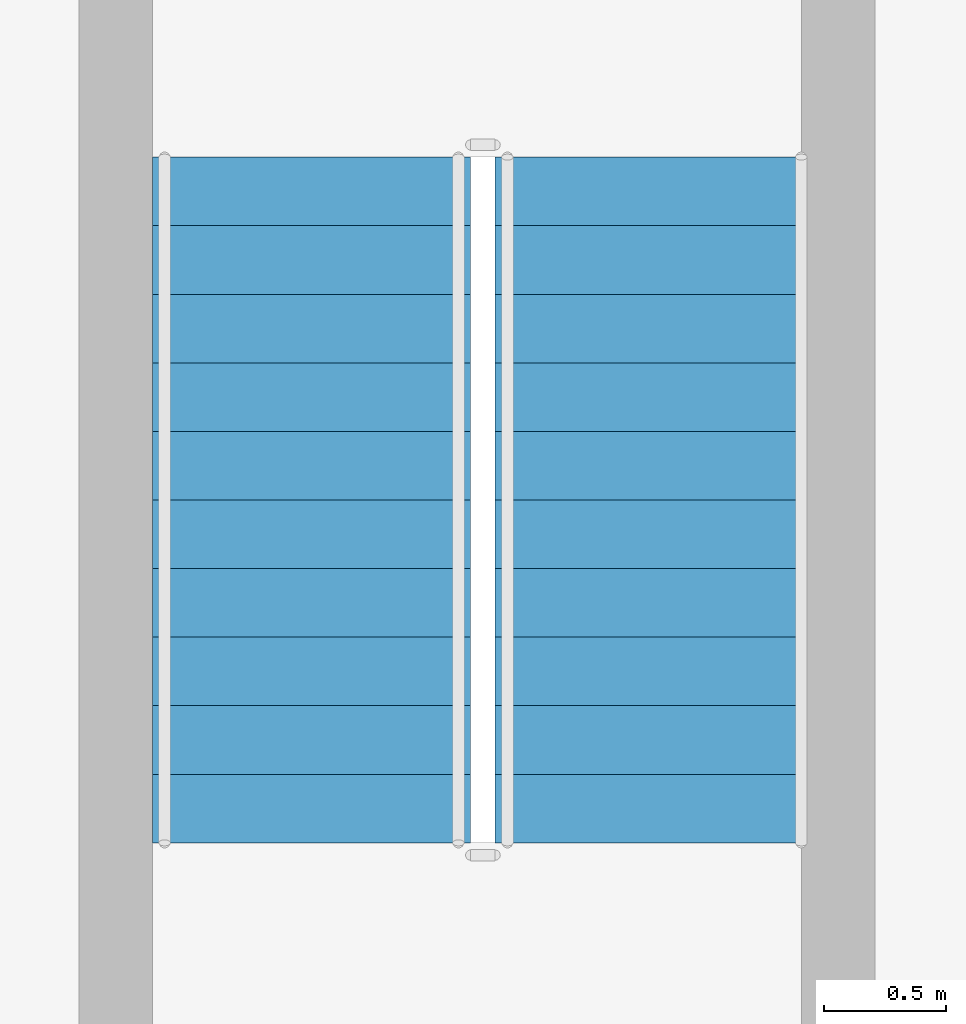
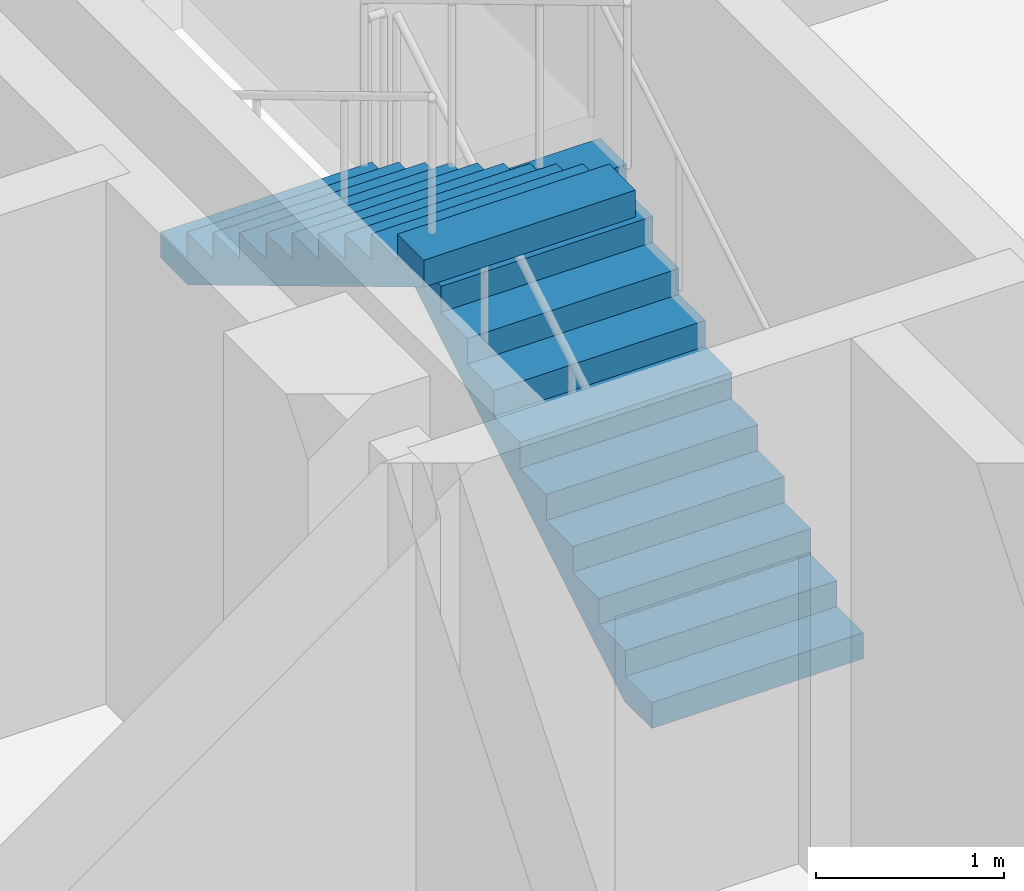
# One storey, part 14 of 22: 2 stair flights, 1 element without a shape of its own.
"""IFC4 building model written with IfcOpenShell, lengths in metres."""

from ifc_helpers import new_model, si_unit, direction, frame, origin, place, context, subcontext, project, spatial, triangles, source, transform, mapped, material, type_object, element, aggregate, save


model = new_model("IFC4")

# Units and contexts
model_context = context("Model", 3, precision=1e-05, world=origin(), true_north=direction((0.0, 1.0)))
body_context = subcontext(model_context, "Body", "Model", "MODEL_VIEW")
ifc_project = project(units=[si_unit("LENGTHUNIT", "METRE"), si_unit("AREAUNIT", "SQUARE_METRE"), si_unit("VOLUMEUNIT", "CUBIC_METRE"), si_unit("PLANEANGLEUNIT", "RADIAN"), si_unit("MASSUNIT", "GRAM", prefix="KILO")], contexts=[model_context])

# Site, building, storey
site_placement = place(None, origin())
site = spatial("IfcSite", under=ifc_project, at=site_placement, CompositionType="ELEMENT")
building_placement = place(site_placement, origin())
building = spatial("IfcBuilding", under=site, at=building_placement, Name="Ogive Portal Towers", CompositionType="ELEMENT")
storey_placement = place(building_placement, frame((0.0, 0.0, 145.89990234375)))
storey = spatial("IfcBuildingStorey", under=building, at=storey_placement, Name="L35", CompositionType="ELEMENT", Elevation=145.89990234375)

# Stair, stair flights
ifc_material = material(Name="Concrete C40/50", Category="concrete")
stair_type = type_object("IfcStairType", Name="INT-STAIR", PredefinedType="HALF_TURN_STAIR", material=ifc_material)
stair_placement = place(storey_placement, origin())
stair = element("IfcStair", 1, at=stair_placement, inside=storey, type_object=stair_type, Name="L35 Exit Stair ST-A3", PredefinedType="HALF_TURN_STAIR")
stair_flight_type = type_object("IfcStairFlightType", Name="INT-FLIGHT", PredefinedType="STRAIGHT", material=ifc_material)
shared_shape = source(origin(), body_context, "Body", "Tessellation", [
    triangles([(0.0, -0.650146484375, 0.0), (0.0, -0.376220703125, 0.0), (0.0, -0.192626953125, 0.0), (0.0, -0.081298828125, 0.0), (0.0, -0.024169921875, 0.0), (0.0, -0.003173828125, 0.0), (0.0, 0.0, 0.0), (0.0, 0.0029296875, 0.0), (0.0, 0.02392578125, 0.0), (0.0, 0.0810546875, 0.0), (0.0, 0.1923828125, 0.0), (0.0, 0.3759765625, 0.0), (0.0, 0.64990234375, 0.0), (0.0, -0.650146484375, 0.168212890625), (0.0, -0.376220703125, 0.168212890625), (0.0, -0.192626953125, 0.168212890625), (0.0, -0.081298828125, 0.168212890625), (0.0, -0.024169921875, 0.168212890625), (0.0, -0.003173828125, 0.168212890625), (0.0, 0.0, 0.168212890625), (0.0, 0.0029296875, 0.168212890625), (0.0, 0.02392578125, 0.168212890625), (0.0, 0.0810546875, 0.168212890625), (0.0, 0.1923828125, 0.168212890625), (0.0, 0.3759765625, 0.168212890625), (0.0, 0.64990234375, 0.168212890625), (0.280029296875, -0.650146484375, 0.168212890625), (0.280029296875, -0.376220703125, 0.168212890625), (0.280029296875, -0.192626953125, 0.168212890625), (0.280029296875, -0.081298828125, 0.168212890625), (0.280029296875, -0.024169921875, 0.168212890625), (0.280029296875, -0.003173828125, 0.168212890625), (0.280029296875, 0.0, 0.168212890625), (0.280029296875, 0.0029296875, 0.168212890625), (0.280029296875, 0.02392578125, 0.168212890625), (0.280029296875, 0.0810546875, 0.168212890625), (0.280029296875, 0.1923828125, 0.168212890625), (0.280029296875, 0.3759765625, 0.168212890625), (0.280029296875, 0.64990234375, 0.168212890625), (0.280029296875, -0.650146484375, 0.33642578125), (0.280029296875, -0.376220703125, 0.33642578125), (0.280029296875, -0.192626953125, 0.33642578125), (0.280029296875, -0.081298828125, 0.33642578125), (0.280029296875, -0.024169921875, 0.33642578125), (0.280029296875, -0.003173828125, 0.33642578125), (0.280029296875, 0.0, 0.33642578125), (0.280029296875, 0.0029296875, 0.33642578125), (0.280029296875, 0.02392578125, 0.33642578125), (0.280029296875, 0.0810546875, 0.33642578125), (0.280029296875, 0.1923828125, 0.33642578125), (0.280029296875, 0.3759765625, 0.33642578125), (0.280029296875, 0.64990234375, 0.33642578125), (0.56005859375, -0.650146484375, 0.33642578125), (0.56005859375, -0.376220703125, 0.33642578125), (0.56005859375, -0.192626953125, 0.33642578125), (0.56005859375, -0.081298828125, 0.33642578125), (0.56005859375, -0.024169921875, 0.33642578125), (0.56005859375, -0.003173828125, 0.33642578125), (0.56005859375, 0.0, 0.33642578125), (0.56005859375, 0.0029296875, 0.33642578125), (0.56005859375, 0.02392578125, 0.33642578125), (0.56005859375, 0.0810546875, 0.33642578125), (0.56005859375, 0.1923828125, 0.33642578125), (0.56005859375, 0.3759765625, 0.33642578125), (0.56005859375, 0.64990234375, 0.33642578125), (0.56005859375, -0.650146484375, 0.504638671875), (0.56005859375, -0.376220703125, 0.504638671875), (0.56005859375, -0.192626953125, 0.504638671875), (0.56005859375, -0.081298828125, 0.504638671875), (0.56005859375, -0.024169921875, 0.504638671875), (0.56005859375, -0.003173828125, 0.504638671875), (0.56005859375, 0.0, 0.504638671875), (0.56005859375, 0.0029296875, 0.504638671875), (0.56005859375, 0.02392578125, 0.504638671875), (0.56005859375, 0.0810546875, 0.504638671875), (0.56005859375, 0.1923828125, 0.504638671875), (0.56005859375, 0.3759765625, 0.504638671875), (0.56005859375, 0.64990234375, 0.504638671875), (0.840087890625, -0.650146484375, 0.504638671875), (0.840087890625, -0.376220703125, 0.504638671875), (0.840087890625, -0.192626953125, 0.504638671875), (0.840087890625, -0.081298828125, 0.504638671875), (0.840087890625, -0.024169921875, 0.504638671875), (0.840087890625, -0.003173828125, 0.504638671875), (0.840087890625, 0.0, 0.504638671875), (0.840087890625, 0.0029296875, 0.504638671875), (0.840087890625, 0.02392578125, 0.504638671875), (0.840087890625, 0.0810546875, 0.504638671875), (0.840087890625, 0.1923828125, 0.504638671875), (0.840087890625, 0.3759765625, 0.504638671875), (0.840087890625, 0.64990234375, 0.504638671875), (0.840087890625, -0.650146484375, 0.672607421875), (0.840087890625, -0.376220703125, 0.672607421875), (0.840087890625, -0.192626953125, 0.672607421875), (0.840087890625, -0.081298828125, 0.672607421875), (0.840087890625, -0.024169921875, 0.672607421875), (0.840087890625, -0.003173828125, 0.672607421875), (0.840087890625, 0.0, 0.672607421875), (0.840087890625, 0.0029296875, 0.672607421875), (0.840087890625, 0.02392578125, 0.672607421875), (0.840087890625, 0.0810546875, 0.672607421875), (0.840087890625, 0.1923828125, 0.672607421875), (0.840087890625, 0.3759765625, 0.672607421875), (0.840087890625, 0.64990234375, 0.672607421875), (1.1201171875, -0.650146484375, 0.672607421875), (1.1201171875, -0.376220703125, 0.672607421875), (1.1201171875, -0.192626953125, 0.672607421875), (1.1201171875, -0.081298828125, 0.672607421875), (1.1201171875, -0.024169921875, 0.672607421875), (1.1201171875, -0.003173828125, 0.672607421875), (1.1201171875, 0.0, 0.672607421875), (1.1201171875, 0.0029296875, 0.672607421875), (1.1201171875, 0.02392578125, 0.672607421875), (1.1201171875, 0.0810546875, 0.672607421875), (1.1201171875, 0.1923828125, 0.672607421875), (1.1201171875, 0.3759765625, 0.672607421875), (1.1201171875, 0.64990234375, 0.672607421875), (1.1201171875, -0.650146484375, 0.8408203125), (1.1201171875, -0.376220703125, 0.8408203125), (1.1201171875, -0.192626953125, 0.8408203125), (1.1201171875, -0.081298828125, 0.8408203125), (1.1201171875, -0.024169921875, 0.8408203125), (1.1201171875, -0.003173828125, 0.8408203125), (1.1201171875, 0.0, 0.8408203125), (1.1201171875, 0.0029296875, 0.8408203125), (1.1201171875, 0.02392578125, 0.8408203125), (1.1201171875, 0.0810546875, 0.8408203125), (1.1201171875, 0.1923828125, 0.8408203125), (1.1201171875, 0.3759765625, 0.8408203125), (1.1201171875, 0.64990234375, 0.8408203125), (1.39990234375, -0.650146484375, 0.8408203125), (1.39990234375, -0.376220703125, 0.8408203125), (1.39990234375, -0.192626953125, 0.8408203125), (1.39990234375, -0.081298828125, 0.8408203125), (1.39990234375, -0.024169921875, 0.8408203125), (1.39990234375, -0.003173828125, 0.8408203125), (1.39990234375, 0.0, 0.8408203125), (1.39990234375, 0.0029296875, 0.8408203125), (1.39990234375, 0.02392578125, 0.8408203125), (1.39990234375, 0.0810546875, 0.8408203125), (1.39990234375, 0.1923828125, 0.8408203125), (1.39990234375, 0.3759765625, 0.8408203125), (1.39990234375, 0.64990234375, 0.8408203125), (1.39990234375, -0.650146484375, 1.009033203125), (1.39990234375, -0.376220703125, 1.009033203125), (1.39990234375, -0.192626953125, 1.009033203125), (1.39990234375, -0.081298828125, 1.009033203125), (1.39990234375, -0.024169921875, 1.009033203125), (1.39990234375, -0.003173828125, 1.009033203125), (1.39990234375, 0.0, 1.009033203125), (1.39990234375, 0.0029296875, 1.009033203125), (1.39990234375, 0.02392578125, 1.009033203125), (1.39990234375, 0.0810546875, 1.009033203125), (1.39990234375, 0.1923828125, 1.009033203125), (1.39990234375, 0.3759765625, 1.009033203125), (1.39990234375, 0.64990234375, 1.009033203125), (1.679931640625, -0.650146484375, 1.009033203125), (1.679931640625, -0.376220703125, 1.009033203125), (1.679931640625, -0.192626953125, 1.009033203125), (1.679931640625, -0.081298828125, 1.009033203125), (1.679931640625, -0.024169921875, 1.009033203125), (1.679931640625, -0.003173828125, 1.009033203125), (1.679931640625, 0.0, 1.009033203125), (1.679931640625, 0.0029296875, 1.009033203125), (1.679931640625, 0.02392578125, 1.009033203125), (1.679931640625, 0.0810546875, 1.009033203125), (1.679931640625, 0.1923828125, 1.009033203125), (1.679931640625, 0.3759765625, 1.009033203125), (1.679931640625, 0.64990234375, 1.009033203125), (1.679931640625, -0.650146484375, 1.17724609375), (1.679931640625, -0.376220703125, 1.17724609375), (1.679931640625, -0.192626953125, 1.17724609375), (1.679931640625, -0.081298828125, 1.17724609375), (1.679931640625, -0.024169921875, 1.17724609375), (1.679931640625, -0.003173828125, 1.17724609375), (1.679931640625, 0.0, 1.17724609375), (1.679931640625, 0.0029296875, 1.17724609375), (1.679931640625, 0.02392578125, 1.17724609375), (1.679931640625, 0.0810546875, 1.17724609375), (1.679931640625, 0.1923828125, 1.17724609375), (1.679931640625, 0.3759765625, 1.17724609375), (1.679931640625, 0.64990234375, 1.17724609375), (1.9599609375, -0.650146484375, 1.17724609375), (1.9599609375, -0.376220703125, 1.17724609375), (1.9599609375, -0.192626953125, 1.17724609375), (1.9599609375, -0.081298828125, 1.17724609375), (1.9599609375, -0.024169921875, 1.17724609375), (1.9599609375, -0.003173828125, 1.17724609375), (1.9599609375, 0.0, 1.17724609375), (1.9599609375, 0.0029296875, 1.17724609375), (1.9599609375, 0.02392578125, 1.17724609375), (1.9599609375, 0.0810546875, 1.17724609375), (1.9599609375, 0.1923828125, 1.17724609375), (1.9599609375, 0.3759765625, 1.17724609375), (1.9599609375, 0.64990234375, 1.17724609375), (1.9599609375, -0.650146484375, 1.345458984375), (1.9599609375, -0.376220703125, 1.345458984375), (1.9599609375, -0.192626953125, 1.345458984375), (1.9599609375, -0.081298828125, 1.345458984375), (1.9599609375, -0.024169921875, 1.345458984375), (1.9599609375, -0.003173828125, 1.345458984375), (1.9599609375, 0.0, 1.345458984375), (1.9599609375, 0.0029296875, 1.345458984375), (1.9599609375, 0.02392578125, 1.345458984375), (1.9599609375, 0.0810546875, 1.345458984375), (1.9599609375, 0.1923828125, 1.345458984375), (1.9599609375, 0.3759765625, 1.345458984375), (1.9599609375, 0.64990234375, 1.345458984375), (2.239990234375, -0.650146484375, 1.345458984375), (2.239990234375, -0.376220703125, 1.345458984375), (2.239990234375, -0.192626953125, 1.345458984375), (2.239990234375, -0.081298828125, 1.345458984375), (2.239990234375, -0.024169921875, 1.345458984375), (2.239990234375, -0.003173828125, 1.345458984375), (2.239990234375, 0.0, 1.345458984375), (2.239990234375, 0.0029296875, 1.345458984375), (2.239990234375, 0.02392578125, 1.345458984375), (2.239990234375, 0.0810546875, 1.345458984375), (2.239990234375, 0.1923828125, 1.345458984375), (2.239990234375, 0.3759765625, 1.345458984375), (2.239990234375, 0.64990234375, 1.345458984375), (2.239990234375, -0.650146484375, 1.513671875), (2.239990234375, -0.376220703125, 1.513671875), (2.239990234375, -0.192626953125, 1.513671875), (2.239990234375, -0.081298828125, 1.513671875), (2.239990234375, -0.024169921875, 1.513671875), (2.239990234375, -0.003173828125, 1.513671875), (2.239990234375, 0.0, 1.513671875), (2.239990234375, 0.0029296875, 1.513671875), (2.239990234375, 0.02392578125, 1.513671875), (2.239990234375, 0.0810546875, 1.513671875), (2.239990234375, 0.1923828125, 1.513671875), (2.239990234375, 0.3759765625, 1.513671875), (2.239990234375, 0.64990234375, 1.513671875), (2.52001953125, -0.650146484375, 1.513671875), (2.52001953125, -0.376220703125, 1.513671875), (2.52001953125, -0.192626953125, 1.513671875), (2.52001953125, -0.081298828125, 1.513671875), (2.52001953125, -0.024169921875, 1.513671875), (2.52001953125, -0.003173828125, 1.513671875), (2.52001953125, 0.0, 1.513671875), (2.52001953125, 0.0029296875, 1.513671875), (2.52001953125, 0.02392578125, 1.513671875), (2.52001953125, 0.0810546875, 1.513671875), (2.52001953125, 0.1923828125, 1.513671875), (2.52001953125, 0.3759765625, 1.513671875), (2.52001953125, 0.64990234375, 1.513671875), (2.52001953125, -0.650146484375, 1.681884765625), (2.52001953125, -0.376220703125, 1.681884765625), (2.52001953125, -0.192626953125, 1.681884765625), (2.52001953125, -0.081298828125, 1.681884765625), (2.52001953125, -0.024169921875, 1.681884765625), (2.52001953125, -0.003173828125, 1.681884765625), (2.52001953125, 0.0, 1.681884765625), (2.52001953125, 0.0029296875, 1.681884765625), (2.52001953125, 0.02392578125, 1.681884765625), (2.52001953125, 0.0810546875, 1.681884765625), (2.52001953125, 0.1923828125, 1.681884765625), (2.52001953125, 0.3759765625, 1.681884765625), (2.52001953125, 0.64990234375, 1.681884765625), (2.800048828125, -0.650146484375, 1.681884765625), (2.800048828125, -0.376220703125, 1.681884765625), (2.800048828125, -0.192626953125, 1.681884765625), (2.800048828125, -0.081298828125, 1.681884765625), (2.800048828125, -0.024169921875, 1.681884765625), (2.800048828125, -0.003173828125, 1.681884765625), (2.800048828125, 0.0, 1.681884765625), (2.800048828125, 0.0029296875, 1.681884765625), (2.800048828125, 0.02392578125, 1.681884765625), (2.800048828125, 0.0810546875, 1.681884765625), (2.800048828125, 0.1923828125, 1.681884765625), (2.800048828125, 0.3759765625, 1.681884765625), (2.800048828125, 0.64990234375, 1.681884765625), (2.800048828125, -0.650146484375, 1.5068359375), (2.800048828125, -0.376220703125, 1.5068359375), (2.800048828125, -0.192626953125, 1.5068359375), (2.800048828125, -0.081298828125, 1.5068359375), (2.800048828125, -0.024169921875, 1.5068359375), (2.800048828125, -0.003173828125, 1.5068359375), (2.800048828125, 0.0, 1.5068359375), (2.800048828125, 0.0029296875, 1.5068359375), (2.800048828125, 0.02392578125, 1.5068359375), (2.800048828125, 0.0810546875, 1.5068359375), (2.800048828125, 0.1923828125, 1.5068359375), (2.800048828125, 0.3759765625, 1.5068359375), (2.800048828125, 0.64990234375, 1.5068359375), (0.291015625, -0.650146484375, 0.0), (0.291015625, -0.376220703125, 0.0), (0.291015625, -0.192626953125, 0.0), (0.291015625, -0.081298828125, 0.0), (0.291015625, -0.024169921875, 0.0), (0.291015625, -0.003173828125, 0.0), (0.291015625, 0.0, 0.0), (0.291015625, 0.0029296875, 0.0), (0.291015625, 0.02392578125, 0.0), (0.291015625, 0.0810546875, 0.0), (0.291015625, 0.1923828125, 0.0), (0.291015625, 0.3759765625, 0.0), (0.291015625, 0.64990234375, 0.0)], [[1, 14, 15], [1, 15, 2], [2, 15, 16], [2, 16, 3], [3, 16, 17], [3, 17, 4], [4, 17, 18], [4, 18, 5], [5, 18, 19], [5, 19, 6], [6, 19, 20], [6, 20, 7], [7, 20, 21], [7, 21, 8], [8, 21, 22], [8, 22, 9], [9, 22, 23], [9, 23, 10], [10, 23, 24], [10, 24, 11], [11, 24, 25], [11, 25, 12], [12, 25, 26], [12, 26, 13], [14, 27, 28], [14, 28, 15], [15, 28, 29], [15, 29, 16], [16, 29, 30], [16, 30, 17], [17, 30, 31], [17, 31, 18], [18, 31, 32], [18, 32, 19], [19, 32, 33], [19, 33, 20], [20, 33, 34], [20, 34, 21], [21, 34, 35], [21, 35, 22], [22, 35, 36], [22, 36, 23], [23, 36, 37], [23, 37, 24], [24, 37, 38], [24, 38, 25], [25, 38, 39], [25, 39, 26], [27, 40, 41], [27, 41, 28], [28, 41, 42], [28, 42, 29], [29, 42, 43], [29, 43, 30], [30, 43, 44], [30, 44, 31], [31, 44, 45], [31, 45, 32], [32, 45, 46], [32, 46, 33], [33, 46, 47], [33, 47, 34], [34, 47, 48], [34, 48, 35], [35, 48, 49], [35, 49, 36], [36, 49, 50], [36, 50, 37], [37, 50, 51], [37, 51, 38], [38, 51, 52], [38, 52, 39], [40, 53, 54], [40, 54, 41], [41, 54, 55], [41, 55, 42], [42, 55, 56], [42, 56, 43], [43, 56, 57], [43, 57, 44], [44, 57, 58], [44, 58, 45], [45, 58, 59], [45, 59, 46], [46, 59, 60], [46, 60, 47], [47, 60, 61], [47, 61, 48], [48, 61, 62], [48, 62, 49], [49, 62, 63], [49, 63, 50], [50, 63, 64], [50, 64, 51], [51, 64, 65], [51, 65, 52], [53, 66, 67], [53, 67, 54], [54, 67, 68], [54, 68, 55], [55, 68, 69], [55, 69, 56], [56, 69, 70], [56, 70, 57], [57, 70, 71], [57, 71, 58], [58, 71, 72], [58, 72, 59], [59, 72, 73], [59, 73, 60], [60, 73, 74], [60, 74, 61], [61, 74, 75], [61, 75, 62], [62, 75, 76], [62, 76, 63], [63, 76, 77], [63, 77, 64], [64, 77, 78], [64, 78, 65], [66, 79, 80], [66, 80, 67], [67, 80, 81], [67, 81, 68], [68, 81, 82], [68, 82, 69], [69, 82, 83], [69, 83, 70], [70, 83, 84], [70, 84, 71], [71, 84, 85], [71, 85, 72], [72, 85, 86], [72, 86, 73], [73, 86, 87], [73, 87, 74], [74, 87, 88], [74, 88, 75], [75, 88, 89], [75, 89, 76], [76, 89, 90], [76, 90, 77], [77, 90, 91], [77, 91, 78], [79, 92, 93], [79, 93, 80], [80, 93, 94], [80, 94, 81], [81, 94, 95], [81, 95, 82], [82, 95, 96], [82, 96, 83], [83, 96, 97], [83, 97, 84], [84, 97, 98], [84, 98, 85], [85, 98, 99], [85, 99, 86], [86, 99, 100], [86, 100, 87], [87, 100, 101], [87, 101, 88], [88, 101, 102], [88, 102, 89], [89, 102, 103], [89, 103, 90], [90, 103, 104], [90, 104, 91], [92, 105, 106], [92, 106, 93], [93, 106, 107], [93, 107, 94], [94, 107, 108], [94, 108, 95], [95, 108, 109], [95, 109, 96], [96, 109, 110], [96, 110, 97], [97, 110, 111], [97, 111, 98], [98, 111, 112], [98, 112, 99], [99, 112, 113], [99, 113, 100], [100, 113, 114], [100, 114, 101], [101, 114, 115], [101, 115, 102], [102, 115, 116], [102, 116, 103], [103, 116, 117], [103, 117, 104], [105, 118, 119], [105, 119, 106], [106, 119, 120], [106, 120, 107], [107, 120, 121], [107, 121, 108], [108, 121, 122], [108, 122, 109], [109, 122, 123], [109, 123, 110], [110, 123, 124], [110, 124, 111], [111, 124, 125], [111, 125, 112], [112, 125, 126], [112, 126, 113], [113, 126, 127], [113, 127, 114], [114, 127, 128], [114, 128, 115], [115, 128, 129], [115, 129, 116], [116, 129, 130], [116, 130, 117], [118, 131, 132], [118, 132, 119], [119, 132, 133], [119, 133, 120], [120, 133, 134], [120, 134, 121], [121, 134, 135], [121, 135, 122], [122, 135, 136], [122, 136, 123], [123, 136, 137], [123, 137, 124], [124, 137, 138], [124, 138, 125], [125, 138, 139], [125, 139, 126], [126, 139, 140], [126, 140, 127], [127, 140, 141], [127, 141, 128], [128, 141, 142], [128, 142, 129], [129, 142, 143], [129, 143, 130], [131, 144, 145], [131, 145, 132], [132, 145, 146], [132, 146, 133], [133, 146, 147], [133, 147, 134], [134, 147, 148], [134, 148, 135], [135, 148, 149], [135, 149, 136], [136, 149, 150], [136, 150, 137], [137, 150, 151], [137, 151, 138], [138, 151, 152], [138, 152, 139], [139, 152, 153], [139, 153, 140], [140, 153, 154], [140, 154, 141], [141, 154, 155], [141, 155, 142], [142, 155, 156], [142, 156, 143], [144, 157, 158], [144, 158, 145], [145, 158, 159], [145, 159, 146], [146, 159, 160], [146, 160, 147], [147, 160, 161], [147, 161, 148], [148, 161, 162], [148, 162, 149], [149, 162, 163], [149, 163, 150], [150, 163, 164], [150, 164, 151], [151, 164, 165], [151, 165, 152], [152, 165, 166], [152, 166, 153], [153, 166, 167], [153, 167, 154], [154, 167, 168], [154, 168, 155], [155, 168, 169], [155, 169, 156], [157, 170, 171], [157, 171, 158], [158, 171, 172], [158, 172, 159], [159, 172, 173], [159, 173, 160], [160, 173, 174], [160, 174, 161], [161, 174, 175], [161, 175, 162], [162, 175, 176], [162, 176, 163], [163, 176, 177], [163, 177, 164], [164, 177, 178], [164, 178, 165], [165, 178, 179], [165, 179, 166], [166, 179, 180], [166, 180, 167], [167, 180, 181], [167, 181, 168], [168, 181, 182], [168, 182, 169], [170, 183, 184], [170, 184, 171], [171, 184, 185], [171, 185, 172], [172, 185, 186], [172, 186, 173], [173, 186, 187], [173, 187, 174], [174, 187, 188], [174, 188, 175], [175, 188, 189], [175, 189, 176], [176, 189, 190], [176, 190, 177], [177, 190, 191], [177, 191, 178], [178, 191, 192], [178, 192, 179], [179, 192, 193], [179, 193, 180], [180, 193, 194], [180, 194, 181], [181, 194, 195], [181, 195, 182], [183, 196, 197], [183, 197, 184], [184, 197, 198], [184, 198, 185], [185, 198, 199], [185, 199, 186], [186, 199, 200], [186, 200, 187], [187, 200, 201], [187, 201, 188], [188, 201, 202], [188, 202, 189], [189, 202, 203], [189, 203, 190], [190, 203, 204], [190, 204, 191], [191, 204, 205], [191, 205, 192], [192, 205, 206], [192, 206, 193], [193, 206, 207], [193, 207, 194], [194, 207, 208], [194, 208, 195], [196, 209, 210], [196, 210, 197], [197, 210, 211], [197, 211, 198], [198, 211, 212], [198, 212, 199], [199, 212, 213], [199, 213, 200], [200, 213, 214], [200, 214, 201], [201, 214, 215], [201, 215, 202], [202, 215, 216], [202, 216, 203], [203, 216, 217], [203, 217, 204], [204, 217, 218], [204, 218, 205], [205, 218, 219], [205, 219, 206], [206, 219, 220], [206, 220, 207], [207, 220, 221], [207, 221, 208], [209, 222, 223], [209, 223, 210], [210, 223, 224], [210, 224, 211], [211, 224, 225], [211, 225, 212], [212, 225, 226], [212, 226, 213], [213, 226, 227], [213, 227, 214], [214, 227, 228], [214, 228, 215], [215, 228, 229], [215, 229, 216], [216, 229, 230], [216, 230, 217], [217, 230, 231], [217, 231, 218], [218, 231, 232], [218, 232, 219], [219, 232, 233], [219, 233, 220], [220, 233, 234], [220, 234, 221], [222, 235, 236], [222, 236, 223], [223, 236, 237], [223, 237, 224], [224, 237, 238], [224, 238, 225], [225, 238, 239], [225, 239, 226], [226, 239, 240], [226, 240, 227], [227, 240, 241], [227, 241, 228], [228, 241, 242], [228, 242, 229], [229, 242, 243], [229, 243, 230], [230, 243, 244], [230, 244, 231], [231, 244, 245], [231, 245, 232], [232, 245, 246], [232, 246, 233], [233, 246, 247], [233, 247, 234], [235, 248, 249], [235, 249, 236], [236, 249, 250], [236, 250, 237], [237, 250, 251], [237, 251, 238], [238, 251, 252], [238, 252, 239], [239, 252, 253], [239, 253, 240], [240, 253, 254], [240, 254, 241], [241, 254, 255], [241, 255, 242], [242, 255, 256], [242, 256, 243], [243, 256, 257], [243, 257, 244], [244, 257, 258], [244, 258, 245], [245, 258, 259], [245, 259, 246], [246, 259, 260], [246, 260, 247], [248, 261, 262], [248, 262, 249], [249, 262, 263], [249, 263, 250], [250, 263, 264], [250, 264, 251], [251, 264, 265], [251, 265, 252], [252, 265, 266], [252, 266, 253], [253, 266, 267], [253, 267, 254], [254, 267, 268], [254, 268, 255], [255, 268, 269], [255, 269, 256], [256, 269, 270], [256, 270, 257], [257, 270, 271], [257, 271, 258], [258, 271, 272], [258, 272, 259], [259, 272, 273], [259, 273, 260], [261, 274, 275], [261, 275, 262], [262, 275, 276], [262, 276, 263], [263, 276, 277], [263, 277, 264], [264, 277, 278], [264, 278, 265], [265, 278, 279], [265, 279, 266], [266, 279, 280], [266, 280, 267], [267, 280, 281], [267, 281, 268], [268, 281, 282], [268, 282, 269], [269, 282, 283], [269, 283, 270], [270, 283, 284], [270, 284, 271], [271, 284, 285], [271, 285, 272], [272, 285, 286], [272, 286, 273], [274, 287, 288], [274, 288, 275], [275, 288, 289], [275, 289, 276], [276, 289, 290], [276, 290, 277], [277, 290, 291], [277, 291, 278], [278, 291, 292], [278, 292, 279], [279, 292, 293], [279, 293, 280], [280, 293, 294], [280, 294, 281], [281, 294, 295], [281, 295, 282], [282, 295, 296], [282, 296, 283], [283, 296, 297], [283, 297, 284], [284, 297, 298], [284, 298, 285], [285, 298, 299], [285, 299, 286], [287, 1, 2], [287, 2, 288], [288, 2, 3], [288, 3, 289], [289, 3, 4], [289, 4, 290], [290, 4, 5], [290, 5, 291], [291, 5, 6], [291, 6, 292], [292, 6, 7], [292, 7, 293], [293, 7, 8], [293, 8, 294], [294, 8, 9], [294, 9, 295], [295, 9, 10], [295, 10, 296], [296, 10, 11], [296, 11, 297], [297, 11, 12], [297, 12, 298], [298, 12, 13], [298, 13, 299], [1, 287, 274], [13, 286, 299], [274, 261, 248], [286, 260, 273], [274, 248, 235], [286, 247, 260], [274, 235, 222], [286, 234, 247], [274, 222, 209], [286, 221, 234], [209, 196, 183], [221, 195, 208], [274, 209, 183], [286, 195, 221], [183, 170, 157], [195, 169, 182], [274, 183, 157], [286, 169, 195], [157, 144, 131], [169, 143, 156], [274, 157, 131], [286, 143, 169], [131, 118, 105], [143, 117, 130], [274, 131, 105], [286, 117, 143], [1, 274, 105], [13, 117, 286], [105, 92, 79], [117, 91, 104], [79, 66, 53], [91, 65, 78], [105, 79, 53], [117, 65, 91], [53, 40, 27], [65, 39, 52], [105, 53, 27], [117, 39, 65], [1, 105, 27], [13, 39, 117], [27, 14, 1], [39, 13, 26]], closed=True),
])
stair_flight_1_placement = place(storey_placement, frame((43.550048828125, 67.199951171875, 0.0), z_axis=(0.0, 0.0, 1.0), x_axis=(0.0, 1.0, 0.0)))
stair_flight_1 = element("IfcStairFlight", 2, at=stair_flight_1_placement, type_object=stair_flight_type, Name="ST-A3 flight 1", NumberOfRisers=11, NumberOfTreads=10, PredefinedType="STRAIGHT", RiserHeight=0.168181818, TreadLength=0.28, context=body_context, shape_type="MappedRepresentation", body=[
    mapped(shared_shape, transform((0.0, 0.0, 0.0), scale=1.0)),
])
stair_flight_2_placement = place(storey_placement, frame((42.14990234375, 70.0, 1.85009765625), z_axis=(0.0, 0.0, 1.0), x_axis=(0.0, -1.0, 0.0)))
stair_flight_2 = element("IfcStairFlight", 3, at=stair_flight_2_placement, type_object=stair_flight_type, Name="ST-A3 flight 2", NumberOfRisers=11, NumberOfTreads=10, PredefinedType="STRAIGHT", RiserHeight=0.168181818, TreadLength=0.28, context=body_context, shape_type="MappedRepresentation", body=[
    mapped(shared_shape, transform((0.0, 0.0, 0.0), scale=1.0)),
])
aggregate(stair, [stair_flight_1, stair_flight_2])

save(model, "model.ifc")
